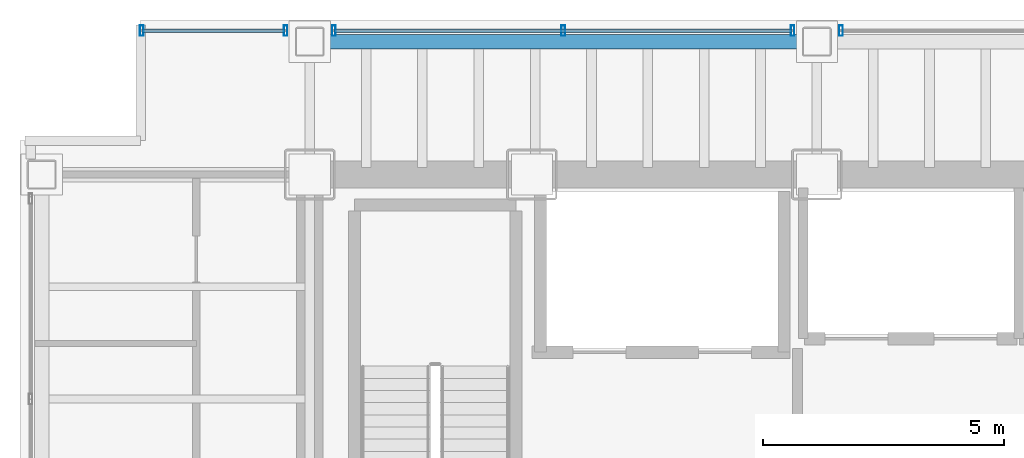
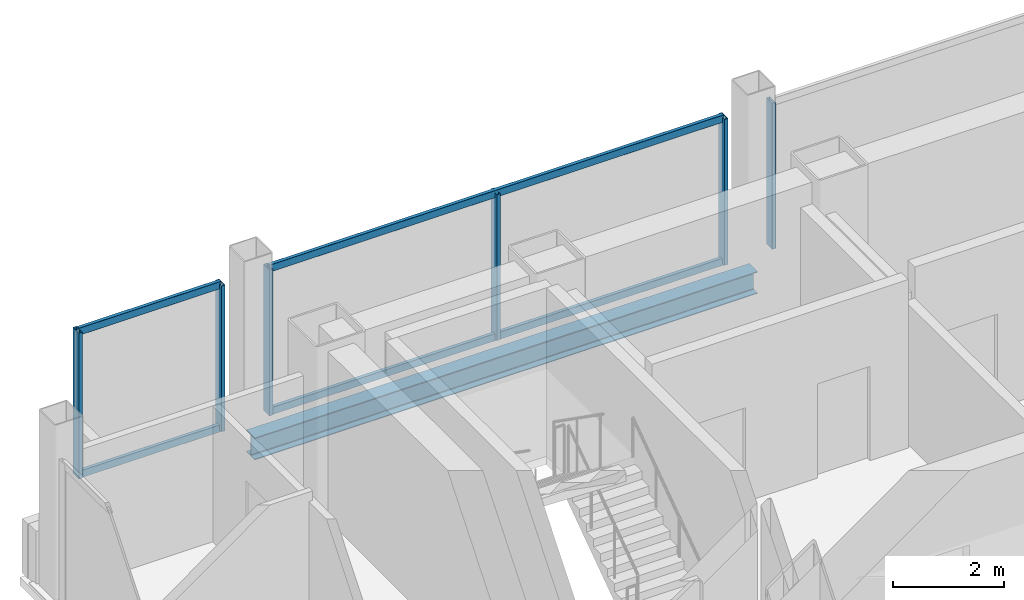
# One storey, part 14 of 21: 10 members, 1 beam, 3 elements without a shape of their own.
"""IFC4 building model written with IfcOpenShell, lengths in metres."""

import ifcopenshell
import ifcopenshell.guid

model = None  # the IFC model being written
_history = None  # IfcOwnerHistory: only IFC2X3 demands one
_inside = {}  # id of a spatial element -> (the spatial element, [elements in it])
_under = {}  # id of a project, library or spatial element -> (it, [spatial elements below it])
_declared = {}  # id of a project -> (the project, [libraries it declares])
_typed = {}  # id of a type object -> (the type object, [elements of that type])
_made_of = {}  # id of a material, layer set ... -> (it, [elements and type objects made of it])


def new_model(schema):
    """Start an empty IFC model of exactly this schema.

    Asked for "IFC4X3", IfcOpenShell would pick the latest addendum, in which some entities
    have other attributes; the version numbers below select the first issue.
    IFC2X3 requires an IfcOwnerHistory on every rooted entity: one is made here for all.
    """
    global model, _history
    if schema == "IFC4X3":
        model = ifcopenshell.file(schema_version=(4, 3, 0, 0))
    else:
        model = ifcopenshell.file(schema=schema)
    _inside.clear()
    _under.clear()
    _declared.clear()
    _typed.clear()
    _made_of.clear()
    _history = None
    if model.schema == "IFC2X3":
        org = make("IfcOrganization", Name="unknown")
        user = make(
            "IfcPersonAndOrganization",
            ThePerson=make("IfcPerson", FamilyName="unknown"),
            TheOrganization=org,
        )
        app = make(
            "IfcApplication",
            ApplicationDeveloper=org,
            Version="unknown",
            ApplicationFullName="unknown",
            ApplicationIdentifier="unknown",
        )
        _history = make(
            "IfcOwnerHistory",
            OwningUser=user,
            OwningApplication=app,
            ChangeAction="ADDED",
            CreationDate=0,
        )
    return model


def make(cls, **values):
    """One entity of the class cls with the attributes given. An attribute that is None is left unset."""
    return model.create_entity(
        cls, **{name: value for name, value in values.items() if value is not None}
    )


def rooted(cls, **values):
    """An entity with a GlobalId (a new one), such as an element, a storey or a relation."""
    return make(cls, GlobalId=ifcopenshell.guid.new(), OwnerHistory=_history, **values)


def si_unit(unit_type, name, prefix=None):
    """IfcSIUnit, for example si_unit("LENGTHUNIT", "METRE", prefix="MILLI")."""
    return make("IfcSIUnit", UnitType=unit_type, Prefix=prefix, Name=name)


def assignment(units):
    """IfcUnitAssignment: the units of a project."""
    return None if units is None else make("IfcUnitAssignment", Units=units)


def point(xyz):
    """IfcCartesianPoint."""
    return None if xyz is None else make("IfcCartesianPoint", Coordinates=xyz)


def direction(xyz):
    """IfcDirection."""
    return None if xyz is None else make("IfcDirection", DirectionRatios=xyz)


def frame(location, z_axis=None, x_axis=None):
    """IfcAxis2Placement3D, a coordinate frame: its origin and axes. An axis left out is left unset."""
    return make(
        "IfcAxis2Placement3D",
        Location=point(location),
        Axis=direction(z_axis),
        RefDirection=direction(x_axis),
    )


def frame_2d(location, x_axis=None):
    """IfcAxis2Placement2D, a coordinate frame in the plane: its origin and x axis."""
    return make(
        "IfcAxis2Placement2D", Location=point(location), RefDirection=direction(x_axis)
    )


def origin():
    """The frame at (0, 0, 0) with its axes left unset."""
    return frame((0.0, 0.0, 0.0))


def origin_2d():
    """The frame at (0, 0) in the plane with its x axis left unset."""
    return frame_2d((0.0, 0.0))


def place(relative_to, where):
    """IfcLocalPlacement: puts the frame where relative to a parent placement (None: the world)."""
    return make(
        "IfcLocalPlacement", PlacementRelTo=relative_to, RelativePlacement=where
    )


def context(
    kind, dimensions, precision=None, world=None, true_north=None, identifier=None
):
    """IfcGeometricRepresentationContext, for example the 3D "Model" context."""
    return make(
        "IfcGeometricRepresentationContext",
        ContextIdentifier=identifier,
        ContextType=kind,
        CoordinateSpaceDimension=dimensions,
        Precision=precision,
        WorldCoordinateSystem=world,
        TrueNorth=true_north,
    )


def subcontext(parent, identifier, kind, view, scale=None):
    """IfcGeometricRepresentationSubContext, for example "Body" below "Model"."""
    return make(
        "IfcGeometricRepresentationSubContext",
        ContextIdentifier=identifier,
        ContextType=kind,
        ParentContext=parent,
        TargetScale=scale,
        TargetView=view,
    )


def project(units=None, contexts=None):
    """IfcProject with its units and contexts."""
    return rooted(
        "IfcProject",
        Name="project",
        RepresentationContexts=contexts,
        UnitsInContext=assignment(units),
    )


def spatial(cls, under=None, at=None, **own):
    """A site, building, storey or space (cls), placed at a placement, below another one or the project."""
    s = rooted(cls, ObjectPlacement=at, **own)
    if under is not None:
        _under.setdefault(under.id(), (under, []))[1].append(s)
    return s


def profile(cls, at=None, kind="AREA", **sizes):
    """A parametric profile (cls). Its sizes go by their IFC names, for example OverallWidth=200.0."""
    return make(cls, ProfileType=kind, Position=at, **sizes)


def hollow_rectangle(**sizes):
    """IfcRectangleHollowProfileDef."""
    return profile("IfcRectangleHollowProfileDef", **sizes)


def i_section(**sizes):
    """IfcIShapeProfileDef."""
    return profile("IfcIShapeProfileDef", **sizes)


def extrude(swept, where, along, depth):
    """IfcExtrudedAreaSolid: the profile swept, set in the frame where, extruded along a direction by depth."""
    return make(
        "IfcExtrudedAreaSolid",
        SweptArea=swept,
        Position=where,
        ExtrudedDirection=direction(along),
        Depth=depth,
    )


def shape(context_of_items, identifier, shape_type, items):
    """IfcShapeRepresentation: the items that make up one representation, for example the "Body"."""
    return make(
        "IfcShapeRepresentation",
        ContextOfItems=context_of_items,
        RepresentationIdentifier=identifier,
        RepresentationType=shape_type,
        Items=items,
    )


def material(Name=None, Category=None):
    """IfcMaterial."""
    return make("IfcMaterial", Name=Name, Category=Category)


def material_profile(
    of_material, cross_section, Name=None, Category=None, Priority=None
):
    """IfcMaterialProfile: a cross section and its material."""
    return make(
        "IfcMaterialProfile",
        Name=Name,
        Material=of_material,
        Profile=cross_section,
        Priority=Priority,
        Category=Category,
    )


def profile_set(profiles, Name=None, composite=None):
    """IfcMaterialProfileSet."""
    return make(
        "IfcMaterialProfileSet",
        Name=Name,
        MaterialProfiles=profiles,
        CompositeProfile=composite,
    )


def made_of(thing, what):
    """Note that an element or type object is made of a material, layer set ...; save() writes the relation."""
    if what is not None:
        _made_of.setdefault(what.id(), (what, []))[1].append(thing)
    return thing


def type_object(cls, material=None, **own):
    """A type object (cls), such as IfcWallType, which elements share."""
    return made_of(rooted(cls, **own), material)


def element(
    cls,
    number,
    at=None,
    inside=None,
    cuts=None,
    type_object=None,
    material=None,
    context=None,
    identifier="Body",
    shape_type=None,
    held_by="IfcProductDefinitionShape",
    body=None,
    shapes=None,
    **own,
):
    """One element of the class cls, such as IfcWall. Its Tag is "e" and its number.

    at: its placement. inside: the storey or other place that contains it. cuts: it is an
    opening in that element (IfcRelVoidsElement). A single representation is given by context,
    identifier, shape_type and body (its items); several are given by shapes. held_by: the class
    of the entity that holds the representations. save() writes the other relations.
    """
    e = rooted(cls, Tag="e%d" % number, ObjectPlacement=at, **own)
    if body is not None:
        shapes = [shape(context, identifier, shape_type, body)]
    if shapes is not None:
        e.Representation = make(held_by, Representations=shapes)
    if inside is not None:
        _inside.setdefault(inside.id(), (inside, []))[1].append(e)
    if cuts is not None:
        rooted(
            "IfcRelVoidsElement", RelatingBuildingElement=cuts, RelatedOpeningElement=e
        )
    if type_object is not None:
        _typed.setdefault(type_object.id(), (type_object, []))[1].append(e)
    return made_of(e, material)


def aggregate(whole, parts):
    """IfcRelAggregates: a whole, such as a stair, and the parts it consists of."""
    return rooted("IfcRelAggregates", RelatingObject=whole, RelatedObjects=parts)


def save(model, path):
    """Write the relations noted so far, then the file.

    IfcRelAggregates (storeys below a building ...), IfcRelContainedInSpatialStructure (elements
    in a storey), IfcRelDefinesByType, IfcRelAssociatesMaterial and IfcRelDeclares: one each for
    every whole, place, type object, material and project.
    """
    for whole, parts in _under.values():
        aggregate(whole, parts)
    for where, things in _inside.values():
        rooted(
            "IfcRelContainedInSpatialStructure",
            RelatedElements=things,
            RelatingStructure=where,
        )
    for kind, things in _typed.values():
        rooted("IfcRelDefinesByType", RelatedObjects=things, RelatingType=kind)
    for what, things in _made_of.values():
        rooted("IfcRelAssociatesMaterial", RelatedObjects=things, RelatingMaterial=what)
    for by, libraries in _declared.values():
        rooted("IfcRelDeclares", RelatingContext=by, RelatedDefinitions=libraries)
    model.write(path)


model = new_model("IFC4")

# Units and contexts
model_context = context("Model", 3, precision=1e-05, world=origin(), true_north=direction((0.0, 1.0)))
body_context = subcontext(model_context, "Body", "Model", "MODEL_VIEW")
ifc_project = project(units=[si_unit("LENGTHUNIT", "METRE"), si_unit("AREAUNIT", "SQUARE_METRE"), si_unit("VOLUMEUNIT", "CUBIC_METRE"), si_unit("PLANEANGLEUNIT", "RADIAN"), si_unit("MASSUNIT", "GRAM", prefix="KILO")], contexts=[model_context])

# Site, building, storey
site_placement = place(None, origin())
site = spatial("IfcSite", under=ifc_project, at=site_placement, CompositionType="ELEMENT")
building_placement = place(site_placement, origin())
building = spatial("IfcBuilding", under=site, at=building_placement, Name="Noeulbin Bourse Tower", CompositionType="ELEMENT")
storey_placement = place(building_placement, frame((0.0, 0.0, 92.800048828125)))
storey = spatial("IfcBuildingStorey", under=building, at=storey_placement, Name="L23", CompositionType="ELEMENT", Elevation=92.800048828125)

# Beam
ifc_material_1 = material(Name="Steel S355", Category="steel")
ifc_material_profile_1 = material_profile(ifc_material_1, i_section(OverallWidth=0.300048828125, OverallDepth=0.488037109375, WebThickness=0.010986328125, FlangeThickness=0.01806640625, FilletRadius=0.02197265625, at=origin_2d()), Name="H-488x300x11x18", Category="LoadBearing")
ifc_profile_set_1 = profile_set([ifc_material_profile_1], Name="Steel S355")
beam_type = type_object("IfcBeamType", Name="BM-SPN-488", PredefinedType="SPANDREL", material=ifc_profile_set_1)
beam_placement = place(storey_placement, frame((13.5, 41.050048828125, -0.424072265625), z_axis=(1.0, 0.0, 0.0), x_axis=(0.0, 1.0, 0.0)))
element("IfcBeam", 1, at=beam_placement, inside=storey, type_object=beam_type, Name="North Spandrel L23-1", PredefinedType="SPANDREL", context=body_context, shape_type="SweptSolid", body=[
    extrude(i_section(OverallWidth=0.300048828125, OverallDepth=0.488037109375, WebThickness=0.010986328125, FlangeThickness=0.01806640625, FilletRadius=0.02197265625, at=origin_2d()), origin(), (0.0, 0.0, 1.0), 10.5),
])

# Curtain wall, members
ifc_material_2 = material(Name="Dark Solar-Control Double Glazing", Category="glass")
curtain_wall_type = type_object("IfcCurtainWallType", Name="CW-SYS-2", PredefinedType="NOTDEFINED", material=ifc_material_2)
curtain_wall_1_placement = place(storey_placement, origin())
curtain_wall_1 = element("IfcCurtainWall", 2, at=curtain_wall_1_placement, inside=storey, type_object=curtain_wall_type, Name="Unitised Curtain Wall CW-L23-N-S1", PredefinedType="NOTDEFINED")
ifc_material_3 = material(Name="Anodised Aluminium 6063-T6", Category="aluminium")
ifc_material_profile_2 = material_profile(ifc_material_3, hollow_rectangle(XDim=0.074951171875, YDim=0.219970703125, WallThickness=0.0048828125, InnerFilletRadius=0.00244140625, OuterFilletRadius=0.0048828125, at=origin_2d()), Name="ALU-MULL-75x220x5", Category="LoadBearing")
ifc_profile_set_2 = profile_set([ifc_material_profile_2], Name="Anodised Aluminium 6063-T6")
member_type_1 = type_object("IfcMemberType", Name="CW-SYS-2-MUL", PredefinedType="MULLION", material=ifc_profile_set_2)
member_1_placement = place(storey_placement, frame((10.02001953125, 41.280029296875, -0.02001953125), z_axis=(0.0, 0.0, 1.0), x_axis=(1.0, 0.0, 0.0)))
member_1 = element("IfcMember", 3, at=member_1_placement, type_object=member_type_1, Name="Curtain Wall Mullion CW-L23-N-S1-M00", PredefinedType="MULLION", context=body_context, shape_type="SweptSolid", body=[
    extrude(hollow_rectangle(XDim=0.074951171875, YDim=0.219970703125, WallThickness=0.0048828125, InnerFilletRadius=0.00244140625, OuterFilletRadius=0.0048828125, at=origin_2d()), origin(), (0.0, 0.0, 1.0), 3.219970703125),
])
member_2_placement = place(storey_placement, frame((13.0, 41.280029296875, -0.02001953125), z_axis=(0.0, 0.0, 1.0), x_axis=(1.0, 0.0, 0.0)))
member_2 = element("IfcMember", 4, at=member_2_placement, type_object=member_type_1, Name="Curtain Wall Mullion CW-L23-N-S1-M01", PredefinedType="MULLION", context=body_context, shape_type="SweptSolid", body=[
    extrude(hollow_rectangle(XDim=0.074951171875, YDim=0.219970703125, WallThickness=0.0048828125, InnerFilletRadius=0.00244140625, OuterFilletRadius=0.0048828125, at=origin_2d()), origin(), (0.0, 0.0, 1.0), 3.219970703125),
])

curtain_wall_2_placement = place(storey_placement, origin())
curtain_wall_2 = element("IfcCurtainWall", 5, at=curtain_wall_2_placement, inside=storey, type_object=curtain_wall_type, Name="Unitised Curtain Wall CW-L23-N-S2", PredefinedType="NOTDEFINED")
member_3_placement = place(storey_placement, frame((14.0, 41.280029296875, -0.02001953125), z_axis=(0.0, 0.0, 1.0), x_axis=(1.0, 0.0, 0.0)))
member_3 = element("IfcMember", 6, at=member_3_placement, type_object=member_type_1, Name="Curtain Wall Mullion CW-L23-N-S2-M00", PredefinedType="MULLION", context=body_context, shape_type="SweptSolid", body=[
    extrude(hollow_rectangle(XDim=0.074951171875, YDim=0.219970703125, WallThickness=0.0048828125, InnerFilletRadius=0.00244140625, OuterFilletRadius=0.0048828125, at=origin_2d()), origin(), (0.0, 0.0, 1.0), 3.219970703125),
])
member_4_placement = place(storey_placement, frame((18.75, 41.280029296875, -0.02001953125), z_axis=(0.0, 0.0, 1.0), x_axis=(1.0, 0.0, 0.0)))
member_4 = element("IfcMember", 7, at=member_4_placement, type_object=member_type_1, Name="Curtain Wall Mullion CW-L23-N-S2-M01", PredefinedType="MULLION", context=body_context, shape_type="SweptSolid", body=[
    extrude(hollow_rectangle(XDim=0.074951171875, YDim=0.219970703125, WallThickness=0.0048828125, InnerFilletRadius=0.00244140625, OuterFilletRadius=0.0048828125, at=origin_2d()), origin(), (0.0, 0.0, 1.0), 3.219970703125),
])
member_5_placement = place(storey_placement, frame((23.5, 41.280029296875, -0.02001953125), z_axis=(0.0, 0.0, 1.0), x_axis=(1.0, 0.0, 0.0)))
member_5 = element("IfcMember", 8, at=member_5_placement, type_object=member_type_1, Name="Curtain Wall Mullion CW-L23-N-S2-M02", PredefinedType="MULLION", context=body_context, shape_type="SweptSolid", body=[
    extrude(hollow_rectangle(XDim=0.074951171875, YDim=0.219970703125, WallThickness=0.0048828125, InnerFilletRadius=0.00244140625, OuterFilletRadius=0.0048828125, at=origin_2d()), origin(), (0.0, 0.0, 1.0), 3.219970703125),
])

# Curtain wall, member
curtain_wall_3_placement = place(storey_placement, origin())
curtain_wall_3 = element("IfcCurtainWall", 9, at=curtain_wall_3_placement, inside=storey, type_object=curtain_wall_type, Name="Unitised Curtain Wall CW-L23-N-S3", PredefinedType="NOTDEFINED")
member_6_placement = place(storey_placement, frame((24.5, 41.280029296875, -0.02001953125), z_axis=(0.0, 0.0, 1.0), x_axis=(1.0, 0.0, 0.0)))
member_6 = element("IfcMember", 10, at=member_6_placement, type_object=member_type_1, Name="Curtain Wall Mullion CW-L23-N-S3-M00", PredefinedType="MULLION", context=body_context, shape_type="SweptSolid", body=[
    extrude(hollow_rectangle(XDim=0.074951171875, YDim=0.219970703125, WallThickness=0.0048828125, InnerFilletRadius=0.00244140625, OuterFilletRadius=0.0048828125, at=origin_2d()), origin(), (0.0, 0.0, 1.0), 3.219970703125),
])
aggregate(curtain_wall_3, [member_6])

# Member
ifc_material_profile_3 = material_profile(ifc_material_3, hollow_rectangle(XDim=0.074951171875, YDim=0.159912109375, WallThickness=0.0048828125, InnerFilletRadius=0.00244140625, OuterFilletRadius=0.0048828125, at=origin_2d()), Name="ALU-TRAN-75x160x5", Category="LoadBearing")
ifc_profile_set_3 = profile_set([ifc_material_profile_3], Name="Anodised Aluminium 6063-T6")
member_type_2 = type_object("IfcMemberType", Name="CW-SYS-2-TRN", PredefinedType="USERDEFINED", material=ifc_profile_set_3)
member_7_placement = place(storey_placement, frame((10.030029296875, 41.280029296875, 0.010009765625), z_axis=(1.0, 0.0, 0.0), x_axis=(0.0, 1.0, 0.0)))
member_7 = element("IfcMember", 11, at=member_7_placement, type_object=member_type_2, Name="Curtain Wall Transom CW-L23-N-S1-T00", ObjectType="TRANSOM", PredefinedType="USERDEFINED", context=body_context, shape_type="SweptSolid", body=[
    extrude(hollow_rectangle(XDim=0.074951171875, YDim=0.159912109375, WallThickness=0.0048828125, InnerFilletRadius=0.00244140625, OuterFilletRadius=0.0048828125, at=origin_2d()), origin(), (0.0, 0.0, 1.0), 2.9599609375),
])

member_8_placement = place(storey_placement, frame((10.030029296875, 41.280029296875, 3.169921875), z_axis=(1.0, 0.0, 0.0), x_axis=(0.0, 1.0, 0.0)))
member_8 = element("IfcMember", 12, at=member_8_placement, type_object=member_type_2, Name="Curtain Wall Transom CW-L23-N-S1-T01", ObjectType="TRANSOM", PredefinedType="USERDEFINED", context=body_context, shape_type="SweptSolid", body=[
    extrude(hollow_rectangle(XDim=0.074951171875, YDim=0.159912109375, WallThickness=0.0048828125, InnerFilletRadius=0.00244140625, OuterFilletRadius=0.0048828125, at=origin_2d()), origin(), (0.0, 0.0, 1.0), 2.9599609375),
])

aggregate(curtain_wall_1, [member_1, member_2, member_7, member_8])

member_9_placement = place(storey_placement, frame((14.010009765625, 41.280029296875, 0.010009765625), z_axis=(1.0, 0.0, 0.0), x_axis=(0.0, 1.0, 0.0)))
member_9 = element("IfcMember", 13, at=member_9_placement, type_object=member_type_2, Name="Curtain Wall Transom CW-L23-N-S2-T00", ObjectType="TRANSOM", PredefinedType="USERDEFINED", context=body_context, shape_type="SweptSolid", body=[
    extrude(hollow_rectangle(XDim=0.074951171875, YDim=0.159912109375, WallThickness=0.0048828125, InnerFilletRadius=0.00244140625, OuterFilletRadius=0.0048828125, at=origin_2d()), origin(), (0.0, 0.0, 1.0), 9.47998046875),
])

member_10_placement = place(storey_placement, frame((14.010009765625, 41.280029296875, 3.169921875), z_axis=(1.0, 0.0, 0.0), x_axis=(0.0, 1.0, 0.0)))
member_10 = element("IfcMember", 14, at=member_10_placement, type_object=member_type_2, Name="Curtain Wall Transom CW-L23-N-S2-T01", ObjectType="TRANSOM", PredefinedType="USERDEFINED", context=body_context, shape_type="SweptSolid", body=[
    extrude(hollow_rectangle(XDim=0.074951171875, YDim=0.159912109375, WallThickness=0.0048828125, InnerFilletRadius=0.00244140625, OuterFilletRadius=0.0048828125, at=origin_2d()), origin(), (0.0, 0.0, 1.0), 9.47998046875),
])

aggregate(curtain_wall_2, [member_3, member_4, member_5, member_9, member_10])

save(model, "model.ifc")
